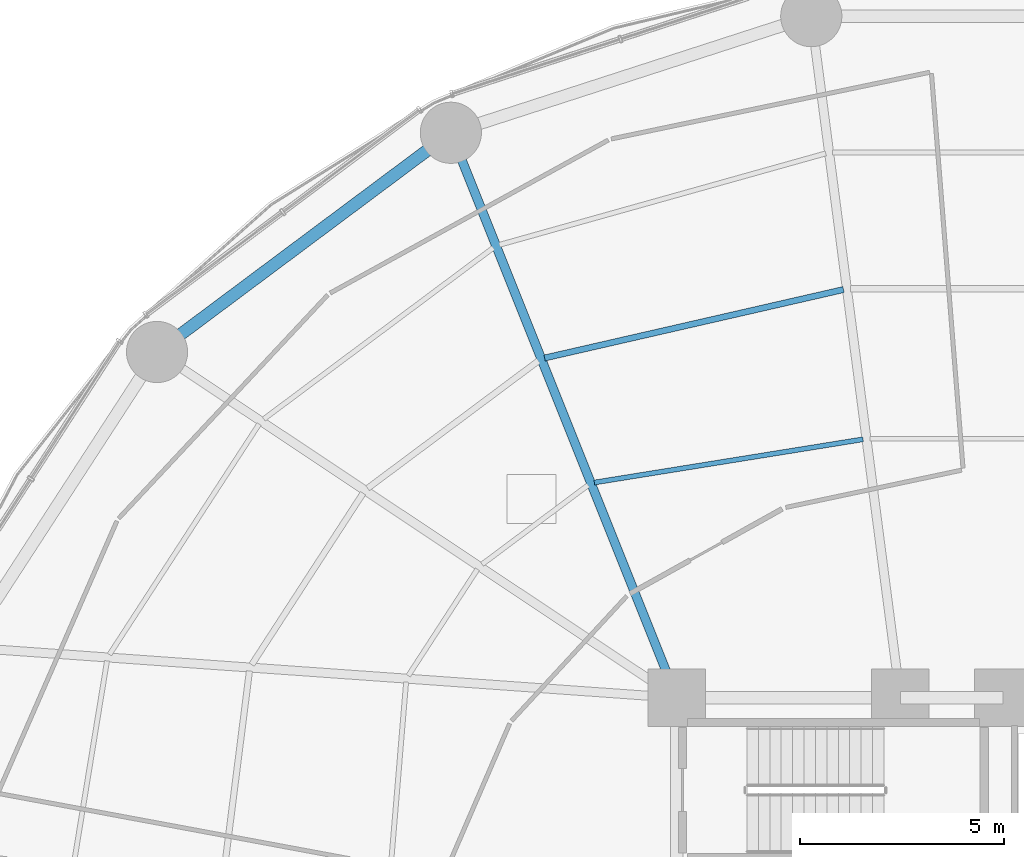
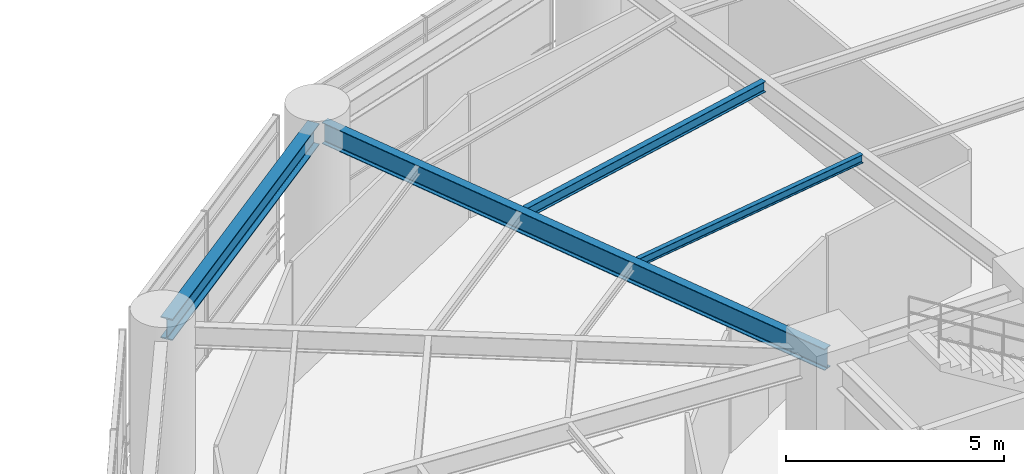
# One storey, part 30 of 52: 4 beams.
"""IFC4 building model written with IfcOpenShell, lengths in metres."""

from ifc_helpers import new_model, si_unit, direction, frame, origin, origin_2d, place, context, subcontext, project, spatial, i_section, extrude, material, material_profile, profile_set, type_object, element, save


model = new_model("IFC4")

# Units and contexts
model_context = context("Model", 3, precision=1e-05, world=origin(), true_north=direction((0.0, 1.0)))
body_context = subcontext(model_context, "Body", "Model", "MODEL_VIEW")
ifc_project = project(units=[si_unit("LENGTHUNIT", "METRE"), si_unit("AREAUNIT", "SQUARE_METRE"), si_unit("VOLUMEUNIT", "CUBIC_METRE"), si_unit("PLANEANGLEUNIT", "RADIAN"), si_unit("MASSUNIT", "GRAM", prefix="KILO")], contexts=[model_context])

# Site, building, storey
site_placement = place(None, origin())
site = spatial("IfcSite", under=ifc_project, at=site_placement, CompositionType="ELEMENT")
building_placement = place(site_placement, origin())
building = spatial("IfcBuilding", under=site, at=building_placement, Name="Kelanora Arch Commons", CompositionType="ELEMENT")
storey_placement = place(building_placement, frame((0.0, 0.0, 13.5)))
storey = spatial("IfcBuildingStorey", under=building, at=storey_placement, Name="L03", CompositionType="ELEMENT", Elevation=13.5)

# Beams
ifc_material = material(Name="Steel S355", Category="steel")
ifc_material_profile_1 = material_profile(ifc_material, i_section(OverallWidth=0.14990234375, OverallDepth=0.300048828125, WebThickness=0.007080078125, FlangeThickness=0.0107421875, FilletRadius=0.014892578125, at=origin_2d()), Name="IPE300")
ifc_profile_set_1 = profile_set([ifc_material_profile_1], Name="Steel S355")
beam_type_1 = type_object("IfcBeamType", Name="BM-JST-01", PredefinedType="JOIST", material=ifc_profile_set_1)
beam_1_placement = place(storey_placement, frame((70.087646484375, 75.009521484375, 3.949951171875), z_axis=(-0.974770159254, -0.223210968877, 0.0), x_axis=(0.223210968877, -0.974770159254, 0.0)))
element("IfcBeam", 1, at=beam_1_placement, inside=storey, type_object=beam_type_1, Name="Secondary Chord Joist BJB-10 L03", PredefinedType="JOIST", context=body_context, shape_type="SweptSolid", body=[
    extrude(i_section(OverallWidth=0.14990234375, OverallDepth=0.300048828125, WebThickness=0.007080078125, FlangeThickness=0.0107421875, FilletRadius=0.014892578125, at=origin_2d()), origin(), (0.0, 0.0, 1.0), 7.5185546875),
])
ifc_material_profile_2 = material_profile(ifc_material, i_section(OverallWidth=0.1201171875, OverallDepth=0.239990234375, WebThickness=0.006103515625, FlangeThickness=0.009765625, FilletRadius=0.014892578125, at=origin_2d()), Name="IPE240")
ifc_profile_set_2 = profile_set([ifc_material_profile_2], Name="Steel S355")
beam_type_2 = type_object("IfcBeamType", Name="BM-JST-02", PredefinedType="JOIST", material=ifc_profile_set_2)
beam_2_placement = place(storey_placement, frame((70.56689453125, 71.337890625, 3.97998046875), z_axis=(-0.987306715654, -0.158825215959, 0.0), x_axis=(0.158825215959, -0.987306715654, 0.0)))
element("IfcBeam", 2, at=beam_2_placement, inside=storey, type_object=beam_type_2, Name="Secondary Chord Joist BJA-10 L03", PredefinedType="JOIST", context=body_context, shape_type="SweptSolid", body=[
    extrude(i_section(OverallWidth=0.1201171875, OverallDepth=0.239990234375, WebThickness=0.006103515625, FlangeThickness=0.009765625, FilletRadius=0.014892578125, at=origin_2d()), origin(), (0.0, 0.0, 1.0), 6.6728515625),
])
ifc_material_profile_3 = material_profile(ifc_material, i_section(OverallWidth=0.219970703125, OverallDepth=0.60009765625, WebThickness=0.011962890625, FlangeThickness=0.01904296875, FilletRadius=0.02392578125, at=origin_2d()), Name="IPE600")
ifc_profile_set_3 = profile_set([ifc_material_profile_3], Name="Steel S355")
beam_type_3 = type_object("IfcBeamType", Name="BM-RAD-Z1", PredefinedType="BEAM", material=ifc_profile_set_3)
beam_3_placement = place(storey_placement, frame((66.0, 65.0, 3.800048828125), z_axis=(-0.371296182896, 0.928514482691, 0.0), x_axis=(-0.928514482691, -0.371296182896, 0.0)))
element("IfcBeam", 3, at=beam_3_placement, inside=storey, type_object=beam_type_3, Name="Radial Floor Girder BR-12 L03", PredefinedType="BEAM", context=body_context, shape_type="SweptSolid", body=[
    extrude(i_section(OverallWidth=0.219970703125, OverallDepth=0.60009765625, WebThickness=0.011962890625, FlangeThickness=0.01904296875, FilletRadius=0.02392578125, at=origin_2d()), origin(), (0.0, 0.0, 1.0), 14.700439453125),
])
ifc_material_profile_4 = material_profile(ifc_material, i_section(OverallWidth=0.300048828125, OverallDepth=0.60009765625, WebThickness=0.015380859375, FlangeThickness=0.030029296875, FilletRadius=0.027099609375, at=origin_2d()), Name="HEB600")
ifc_profile_set_4 = profile_set([ifc_material_profile_4], Name="Steel S355")
beam_type_4 = type_object("IfcBeamType", Name="BM-SPN-Z1", PredefinedType="SPANDREL", material=ifc_profile_set_4)
beam_4_placement = place(storey_placement, frame((60.28369140625, 78.722412109375, 3.800048828125), z_axis=(-0.801474585329, -0.598028836322, 0.0), x_axis=(0.598028836322, -0.801474585329, 0.0)))
element("IfcBeam", 4, at=beam_4_placement, inside=storey, type_object=beam_type_4, Name="Perimeter Spandrel Beam BS-12 L03", PredefinedType="SPANDREL", context=body_context, shape_type="SweptSolid", body=[
    extrude(i_section(OverallWidth=0.300048828125, OverallDepth=0.60009765625, WebThickness=0.015380859375, FlangeThickness=0.030029296875, FilletRadius=0.027099609375, at=origin_2d()), origin(), (0.0, 0.0, 1.0), 8.549072265625),
])

save(model, "model.ifc")
